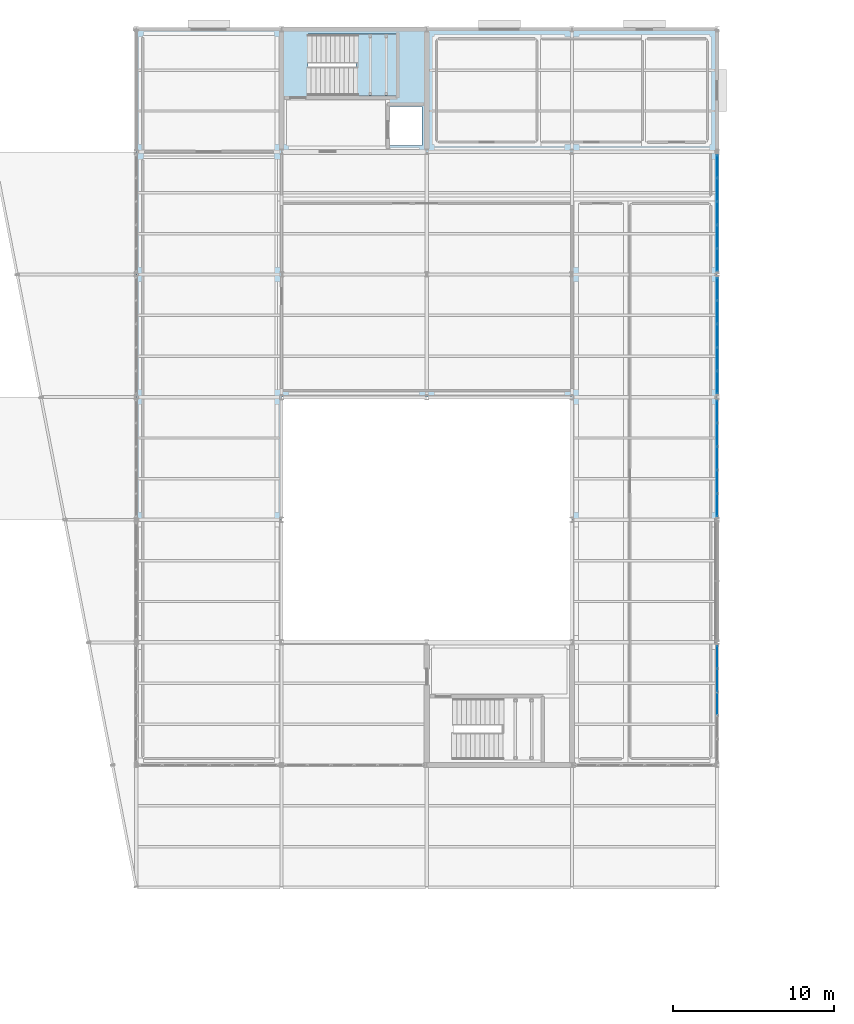
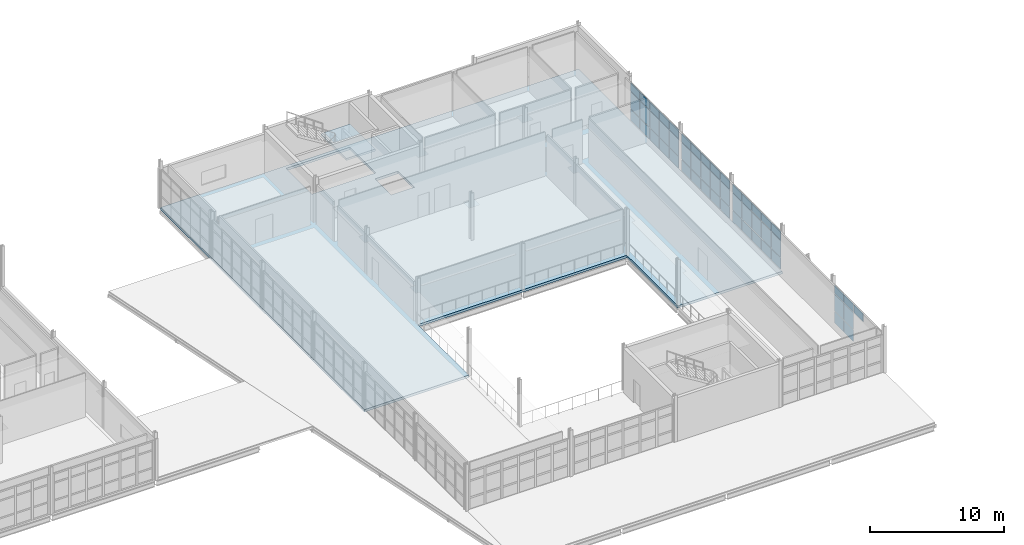
# One storey, part 74 of 96: 52 plates, 2 slabs, 5 elements without a shape of their own.
"""IFC4 building model written with IfcOpenShell, lengths in metres."""

from ifc_helpers import new_model, si_unit, direction, frame, origin, origin_2d, place, context, subcontext, project, spatial, polyline, rectangle, outline, extrude, material, layer, layer_set, type_object, element, aggregate, save


model = new_model("IFC4")

# Units and contexts
model_context = context("Model", 3, precision=1e-05, world=origin(), true_north=direction((0.0, 1.0)))
body_context = subcontext(model_context, "Body", "Model", "MODEL_VIEW")
ifc_project = project(units=[si_unit("LENGTHUNIT", "METRE"), si_unit("AREAUNIT", "SQUARE_METRE"), si_unit("VOLUMEUNIT", "CUBIC_METRE"), si_unit("PLANEANGLEUNIT", "RADIAN"), si_unit("MASSUNIT", "GRAM", prefix="KILO")], contexts=[model_context])

# Site, building, storey
site_placement = place(None, origin())
site = spatial("IfcSite", under=ifc_project, at=site_placement, CompositionType="ELEMENT")
building_placement = place(site_placement, origin())
building = spatial("IfcBuilding", under=site, at=building_placement, Name="Caisbarro Railhouse Central Library", CompositionType="ELEMENT")
storey_placement = place(building_placement, frame((0.0, 0.0, 13.679931640625)))
storey = spatial("IfcBuildingStorey", under=building, at=storey_placement, Name="L03", CompositionType="ELEMENT", Elevation=13.679931640625)

# Curtain wall, plates
ifc_material_1 = material(Name="Anodised architectural aluminium", Category="aluminium")
curtain_wall_type = type_object("IfcCurtainWallType", Name="CW-CW03", PredefinedType="NOTDEFINED", material=ifc_material_1)
curtain_wall_1_placement = place(storey_placement, origin())
curtain_wall_1 = element("IfcCurtainWall", 1, at=curtain_wall_1_placement, inside=storey, type_object=curtain_wall_type, Name="CW03 curtain wall L03 #151", PredefinedType="NOTDEFINED")
ifc_material_2 = material(Name="Double low-e laminated solar-control glass", Category="glass")
ifc_layer_1 = layer(ifc_material_2, 0.01806640625, Name="Double low-e laminated solar-control glass")
ifc_layer_set_1 = layer_set([ifc_layer_1], Name="Double low-e laminated solar-control glass")
plate_type_1 = type_object("IfcPlateType", Name="CWP-CP18", PredefinedType="CURTAIN_PANEL", material=ifc_layer_set_1)
plate_1_placement = place(storey_placement, frame((153.0, 72.199951171875, 2.74267578125), z_axis=(0.0, 0.0, 1.0), x_axis=(0.0, 1.0, 0.0)))
plate_1 = element("IfcPlate", 2, at=plate_1_placement, type_object=plate_type_1, Name="CW03 panel 3.3", PredefinedType="CURTAIN_PANEL", context=body_context, shape_type="SweptSolid", body=[
    extrude(rectangle(XDim=1.39111328125, YDim=0.01806640625, at=origin_2d()), origin(), (0.0, 0.0, 1.0), 0.75244140625),
])
plate_2_placement = place(storey_placement, frame((153.0, 73.656005859375, 0.065185546875), z_axis=(0.0, 0.0, 1.0), x_axis=(0.0, 1.0, 0.0)))
plate_2 = element("IfcPlate", 3, at=plate_2_placement, type_object=plate_type_1, Name="CW03 panel 4.1", PredefinedType="CURTAIN_PANEL", context=body_context, shape_type="SweptSolid", body=[
    extrude(rectangle(XDim=1.39111328125, YDim=0.01806640625, at=origin_2d()), origin(), (0.0, 0.0, 1.0), 1.0224609375),
])
plate_3_placement = place(storey_placement, frame((153.0, 73.656005859375, 1.152587890625), z_axis=(0.0, 0.0, 1.0), x_axis=(0.0, 1.0, 0.0)))
plate_3 = element("IfcPlate", 4, at=plate_3_placement, type_object=plate_type_1, Name="CW03 panel 4.2", PredefinedType="CURTAIN_PANEL", context=body_context, shape_type="SweptSolid", body=[
    extrude(rectangle(XDim=1.39111328125, YDim=0.01806640625, at=origin_2d()), origin(), (0.0, 0.0, 1.0), 1.52490234375),
])
plate_4_placement = place(storey_placement, frame((153.0, 73.656005859375, 2.74267578125), z_axis=(0.0, 0.0, 1.0), x_axis=(0.0, 1.0, 0.0)))
plate_4 = element("IfcPlate", 5, at=plate_4_placement, type_object=plate_type_1, Name="CW03 panel 4.3", PredefinedType="CURTAIN_PANEL", context=body_context, shape_type="SweptSolid", body=[
    extrude(rectangle(XDim=1.39111328125, YDim=0.01806640625, at=origin_2d()), origin(), (0.0, 0.0, 1.0), 0.75244140625),
])
plate_5_placement = place(storey_placement, frame((153.0, 75.095703125, 0.065185546875), z_axis=(0.0, 0.0, 1.0), x_axis=(0.0, 1.0, 0.0)))
plate_5 = element("IfcPlate", 6, at=plate_5_placement, type_object=plate_type_1, Name="CW03 panel 5.1", PredefinedType="CURTAIN_PANEL", context=body_context, shape_type="SweptSolid", body=[
    extrude(rectangle(XDim=1.3583984375, YDim=0.01806640625, at=origin_2d()), origin(), (0.0, 0.0, 1.0), 1.0224609375),
])
plate_6_placement = place(storey_placement, frame((153.0, 75.095703125, 1.152587890625), z_axis=(0.0, 0.0, 1.0), x_axis=(0.0, 1.0, 0.0)))
plate_6 = element("IfcPlate", 7, at=plate_6_placement, type_object=plate_type_1, Name="CW03 panel 5.2", PredefinedType="CURTAIN_PANEL", context=body_context, shape_type="SweptSolid", body=[
    extrude(rectangle(XDim=1.3583984375, YDim=0.01806640625, at=origin_2d()), origin(), (0.0, 0.0, 1.0), 1.52490234375),
])
plate_7_placement = place(storey_placement, frame((153.0, 75.095703125, 2.74267578125), z_axis=(0.0, 0.0, 1.0), x_axis=(0.0, 1.0, 0.0)))
plate_7 = element("IfcPlate", 8, at=plate_7_placement, type_object=plate_type_1, Name="CW03 panel 5.3", PredefinedType="CURTAIN_PANEL", context=body_context, shape_type="SweptSolid", body=[
    extrude(rectangle(XDim=1.3583984375, YDim=0.01806640625, at=origin_2d()), origin(), (0.0, 0.0, 1.0), 0.75244140625),
])
aggregate(curtain_wall_1, [plate_1, plate_2, plate_3, plate_4, plate_5, plate_6, plate_7])

curtain_wall_2_placement = place(storey_placement, origin())
curtain_wall_2 = element("IfcCurtainWall", 9, at=curtain_wall_2_placement, inside=storey, type_object=curtain_wall_type, Name="CW03 curtain wall L03 #152", PredefinedType="NOTDEFINED")
ifc_layer_2 = layer(ifc_material_2, 0.0380859375, Name="Double low-e laminated solar-control glass")
ifc_layer_set_2 = layer_set([ifc_layer_2], Name="Double low-e laminated solar-control glass")
plate_type_2 = type_object("IfcPlateType", Name="CWP-CP38", PredefinedType="CURTAIN_PANEL", material=ifc_layer_set_2)
plate_8_placement = place(storey_placement, frame((153.0, 84.504150390625, 0.065185546875), z_axis=(0.0, 0.0, 1.0), x_axis=(0.0, 1.0, 0.0)))
plate_8 = element("IfcPlate", 10, at=plate_8_placement, type_object=plate_type_2, Name="CW03 panel 1.1", PredefinedType="CURTAIN_PANEL", context=body_context, shape_type="SweptSolid", body=[
    extrude(rectangle(XDim=1.3583984375, YDim=0.0380859375, at=origin_2d()), origin(), (0.0, 0.0, 1.0), 1.0224609375),
])
plate_9_placement = place(storey_placement, frame((153.0, 84.504150390625, 1.152587890625), z_axis=(0.0, 0.0, 1.0), x_axis=(0.0, 1.0, 0.0)))
plate_9 = element("IfcPlate", 11, at=plate_9_placement, type_object=plate_type_2, Name="CW03 panel 1.2", PredefinedType="CURTAIN_PANEL", context=body_context, shape_type="SweptSolid", body=[
    extrude(rectangle(XDim=1.3583984375, YDim=0.0380859375, at=origin_2d()), origin(), (0.0, 0.0, 1.0), 1.52490234375),
])
plate_10_placement = place(storey_placement, frame((153.0, 84.504150390625, 2.74267578125), z_axis=(0.0, 0.0, 1.0), x_axis=(0.0, 1.0, 0.0)))
plate_10 = element("IfcPlate", 12, at=plate_10_placement, type_object=plate_type_2, Name="CW03 panel 1.3", PredefinedType="CURTAIN_PANEL", context=body_context, shape_type="SweptSolid", body=[
    extrude(rectangle(XDim=1.3583984375, YDim=0.0380859375, at=origin_2d()), origin(), (0.0, 0.0, 1.0), 0.75244140625),
])
plate_11_placement = place(storey_placement, frame((153.0, 85.944091796875, 0.065185546875), z_axis=(0.0, 0.0, 1.0), x_axis=(0.0, 1.0, 0.0)))
plate_11 = element("IfcPlate", 13, at=plate_11_placement, type_object=plate_type_2, Name="CW03 panel 2.1", PredefinedType="CURTAIN_PANEL", context=body_context, shape_type="SweptSolid", body=[
    extrude(rectangle(XDim=1.39111328125, YDim=0.0380859375, at=origin_2d()), origin(), (0.0, 0.0, 1.0), 1.0224609375),
])
plate_12_placement = place(storey_placement, frame((153.0, 85.944091796875, 1.152587890625), z_axis=(0.0, 0.0, 1.0), x_axis=(0.0, 1.0, 0.0)))
plate_12 = element("IfcPlate", 14, at=plate_12_placement, type_object=plate_type_2, Name="CW03 panel 2.2", PredefinedType="CURTAIN_PANEL", context=body_context, shape_type="SweptSolid", body=[
    extrude(rectangle(XDim=1.39111328125, YDim=0.0380859375, at=origin_2d()), origin(), (0.0, 0.0, 1.0), 1.52490234375),
])
plate_13_placement = place(storey_placement, frame((153.0, 85.944091796875, 2.74267578125), z_axis=(0.0, 0.0, 1.0), x_axis=(0.0, 1.0, 0.0)))
plate_13 = element("IfcPlate", 15, at=plate_13_placement, type_object=plate_type_2, Name="CW03 panel 2.3", PredefinedType="CURTAIN_PANEL", context=body_context, shape_type="SweptSolid", body=[
    extrude(rectangle(XDim=1.39111328125, YDim=0.0380859375, at=origin_2d()), origin(), (0.0, 0.0, 1.0), 0.75244140625),
])
plate_14_placement = place(storey_placement, frame((153.0, 87.39990234375, 0.065185546875), z_axis=(0.0, 0.0, 1.0), x_axis=(0.0, 1.0, 0.0)))
plate_14 = element("IfcPlate", 16, at=plate_14_placement, type_object=plate_type_2, Name="CW03 panel 3.1", PredefinedType="CURTAIN_PANEL", context=body_context, shape_type="SweptSolid", body=[
    extrude(rectangle(XDim=1.39111328125, YDim=0.0380859375, at=origin_2d()), origin(), (0.0, 0.0, 1.0), 1.0224609375),
])
plate_15_placement = place(storey_placement, frame((153.0, 87.39990234375, 1.152587890625), z_axis=(0.0, 0.0, 1.0), x_axis=(0.0, 1.0, 0.0)))
plate_15 = element("IfcPlate", 17, at=plate_15_placement, type_object=plate_type_2, Name="CW03 panel 3.2", PredefinedType="CURTAIN_PANEL", context=body_context, shape_type="SweptSolid", body=[
    extrude(rectangle(XDim=1.39111328125, YDim=0.0380859375, at=origin_2d()), origin(), (0.0, 0.0, 1.0), 1.52490234375),
])
plate_16_placement = place(storey_placement, frame((153.0, 87.39990234375, 2.74267578125), z_axis=(0.0, 0.0, 1.0), x_axis=(0.0, 1.0, 0.0)))
plate_16 = element("IfcPlate", 18, at=plate_16_placement, type_object=plate_type_2, Name="CW03 panel 3.3", PredefinedType="CURTAIN_PANEL", context=body_context, shape_type="SweptSolid", body=[
    extrude(rectangle(XDim=1.39111328125, YDim=0.0380859375, at=origin_2d()), origin(), (0.0, 0.0, 1.0), 0.75244140625),
])
plate_17_placement = place(storey_placement, frame((153.0, 88.85595703125, 0.065185546875), z_axis=(0.0, 0.0, 1.0), x_axis=(0.0, 1.0, 0.0)))
plate_17 = element("IfcPlate", 19, at=plate_17_placement, type_object=plate_type_2, Name="CW03 panel 4.1", PredefinedType="CURTAIN_PANEL", context=body_context, shape_type="SweptSolid", body=[
    extrude(rectangle(XDim=1.39111328125, YDim=0.0380859375, at=origin_2d()), origin(), (0.0, 0.0, 1.0), 1.0224609375),
])
plate_18_placement = place(storey_placement, frame((153.0, 88.85595703125, 1.152587890625), z_axis=(0.0, 0.0, 1.0), x_axis=(0.0, 1.0, 0.0)))
plate_18 = element("IfcPlate", 20, at=plate_18_placement, type_object=plate_type_2, Name="CW03 panel 4.2", PredefinedType="CURTAIN_PANEL", context=body_context, shape_type="SweptSolid", body=[
    extrude(rectangle(XDim=1.39111328125, YDim=0.0380859375, at=origin_2d()), origin(), (0.0, 0.0, 1.0), 1.52490234375),
])
plate_19_placement = place(storey_placement, frame((153.0, 88.85595703125, 2.74267578125), z_axis=(0.0, 0.0, 1.0), x_axis=(0.0, 1.0, 0.0)))
plate_19 = element("IfcPlate", 21, at=plate_19_placement, type_object=plate_type_2, Name="CW03 panel 4.3", PredefinedType="CURTAIN_PANEL", context=body_context, shape_type="SweptSolid", body=[
    extrude(rectangle(XDim=1.39111328125, YDim=0.0380859375, at=origin_2d()), origin(), (0.0, 0.0, 1.0), 0.75244140625),
])
plate_20_placement = place(storey_placement, frame((153.0, 90.295654296875, 0.065185546875), z_axis=(0.0, 0.0, 1.0), x_axis=(0.0, 1.0, 0.0)))
plate_20 = element("IfcPlate", 22, at=plate_20_placement, type_object=plate_type_2, Name="CW03 panel 5.1", PredefinedType="CURTAIN_PANEL", context=body_context, shape_type="SweptSolid", body=[
    extrude(rectangle(XDim=1.3583984375, YDim=0.0380859375, at=origin_2d()), origin(), (0.0, 0.0, 1.0), 1.0224609375),
])
plate_21_placement = place(storey_placement, frame((153.0, 90.295654296875, 1.152587890625), z_axis=(0.0, 0.0, 1.0), x_axis=(0.0, 1.0, 0.0)))
plate_21 = element("IfcPlate", 23, at=plate_21_placement, type_object=plate_type_2, Name="CW03 panel 5.2", PredefinedType="CURTAIN_PANEL", context=body_context, shape_type="SweptSolid", body=[
    extrude(rectangle(XDim=1.3583984375, YDim=0.0380859375, at=origin_2d()), origin(), (0.0, 0.0, 1.0), 1.52490234375),
])
plate_22_placement = place(storey_placement, frame((153.0, 90.295654296875, 2.74267578125), z_axis=(0.0, 0.0, 1.0), x_axis=(0.0, 1.0, 0.0)))
plate_22 = element("IfcPlate", 24, at=plate_22_placement, type_object=plate_type_2, Name="CW03 panel 5.3", PredefinedType="CURTAIN_PANEL", context=body_context, shape_type="SweptSolid", body=[
    extrude(rectangle(XDim=1.3583984375, YDim=0.0380859375, at=origin_2d()), origin(), (0.0, 0.0, 1.0), 0.75244140625),
])
aggregate(curtain_wall_2, [plate_8, plate_9, plate_10, plate_11, plate_12, plate_13, plate_14, plate_15, plate_16, plate_17, plate_18, plate_19, plate_20, plate_21, plate_22])

curtain_wall_3_placement = place(storey_placement, origin())
curtain_wall_3 = element("IfcCurtainWall", 25, at=curtain_wall_3_placement, inside=storey, type_object=curtain_wall_type, Name="CW03 curtain wall L03 #153", PredefinedType="NOTDEFINED")
ifc_layer_3 = layer(ifc_material_2, 0.048095703125, Name="Double low-e laminated solar-control glass")
ifc_layer_set_3 = layer_set([ifc_layer_3], Name="Double low-e laminated solar-control glass")
plate_type_3 = type_object("IfcPlateType", Name="CWP-CP48", PredefinedType="CURTAIN_PANEL", material=ifc_layer_set_3)
plate_23_placement = place(storey_placement, frame((153.0, 92.104248046875, 0.065185546875), z_axis=(0.0, 0.0, 1.0), x_axis=(0.0, 1.0, 0.0)))
plate_23 = element("IfcPlate", 26, at=plate_23_placement, type_object=plate_type_3, Name="CW03 panel 1.1", PredefinedType="CURTAIN_PANEL", context=body_context, shape_type="SweptSolid", body=[
    extrude(rectangle(XDim=1.3583984375, YDim=0.048095703125, at=origin_2d()), origin(), (0.0, 0.0, 1.0), 1.0224609375),
])
plate_24_placement = place(storey_placement, frame((153.0, 92.104248046875, 1.152587890625), z_axis=(0.0, 0.0, 1.0), x_axis=(0.0, 1.0, 0.0)))
plate_24 = element("IfcPlate", 27, at=plate_24_placement, type_object=plate_type_3, Name="CW03 panel 1.2", PredefinedType="CURTAIN_PANEL", context=body_context, shape_type="SweptSolid", body=[
    extrude(rectangle(XDim=1.3583984375, YDim=0.048095703125, at=origin_2d()), origin(), (0.0, 0.0, 1.0), 1.52490234375),
])
plate_25_placement = place(storey_placement, frame((153.0, 92.104248046875, 2.74267578125), z_axis=(0.0, 0.0, 1.0), x_axis=(0.0, 1.0, 0.0)))
plate_25 = element("IfcPlate", 28, at=plate_25_placement, type_object=plate_type_3, Name="CW03 panel 1.3", PredefinedType="CURTAIN_PANEL", context=body_context, shape_type="SweptSolid", body=[
    extrude(rectangle(XDim=1.3583984375, YDim=0.048095703125, at=origin_2d()), origin(), (0.0, 0.0, 1.0), 0.75244140625),
])
plate_26_placement = place(storey_placement, frame((153.0, 93.5439453125, 0.065185546875), z_axis=(0.0, 0.0, 1.0), x_axis=(0.0, 1.0, 0.0)))
plate_26 = element("IfcPlate", 29, at=plate_26_placement, type_object=plate_type_3, Name="CW03 panel 2.1", PredefinedType="CURTAIN_PANEL", context=body_context, shape_type="SweptSolid", body=[
    extrude(rectangle(XDim=1.39111328125, YDim=0.048095703125, at=origin_2d()), origin(), (0.0, 0.0, 1.0), 1.0224609375),
])
plate_27_placement = place(storey_placement, frame((153.0, 93.5439453125, 1.152587890625), z_axis=(0.0, 0.0, 1.0), x_axis=(0.0, 1.0, 0.0)))
plate_27 = element("IfcPlate", 30, at=plate_27_placement, type_object=plate_type_3, Name="CW03 panel 2.2", PredefinedType="CURTAIN_PANEL", context=body_context, shape_type="SweptSolid", body=[
    extrude(rectangle(XDim=1.39111328125, YDim=0.048095703125, at=origin_2d()), origin(), (0.0, 0.0, 1.0), 1.52490234375),
])
plate_28_placement = place(storey_placement, frame((153.0, 93.5439453125, 2.74267578125), z_axis=(0.0, 0.0, 1.0), x_axis=(0.0, 1.0, 0.0)))
plate_28 = element("IfcPlate", 31, at=plate_28_placement, type_object=plate_type_3, Name="CW03 panel 2.3", PredefinedType="CURTAIN_PANEL", context=body_context, shape_type="SweptSolid", body=[
    extrude(rectangle(XDim=1.39111328125, YDim=0.048095703125, at=origin_2d()), origin(), (0.0, 0.0, 1.0), 0.75244140625),
])
plate_29_placement = place(storey_placement, frame((153.0, 95.0, 0.065185546875), z_axis=(0.0, 0.0, 1.0), x_axis=(0.0, 1.0, 0.0)))
plate_29 = element("IfcPlate", 32, at=plate_29_placement, type_object=plate_type_3, Name="CW03 panel 3.1", PredefinedType="CURTAIN_PANEL", context=body_context, shape_type="SweptSolid", body=[
    extrude(rectangle(XDim=1.39111328125, YDim=0.048095703125, at=origin_2d()), origin(), (0.0, 0.0, 1.0), 1.0224609375),
])
plate_30_placement = place(storey_placement, frame((153.0, 95.0, 1.152587890625), z_axis=(0.0, 0.0, 1.0), x_axis=(0.0, 1.0, 0.0)))
plate_30 = element("IfcPlate", 33, at=plate_30_placement, type_object=plate_type_3, Name="CW03 panel 3.2", PredefinedType="CURTAIN_PANEL", context=body_context, shape_type="SweptSolid", body=[
    extrude(rectangle(XDim=1.39111328125, YDim=0.048095703125, at=origin_2d()), origin(), (0.0, 0.0, 1.0), 1.52490234375),
])
plate_31_placement = place(storey_placement, frame((153.0, 95.0, 2.74267578125), z_axis=(0.0, 0.0, 1.0), x_axis=(0.0, 1.0, 0.0)))
plate_31 = element("IfcPlate", 34, at=plate_31_placement, type_object=plate_type_3, Name="CW03 panel 3.3", PredefinedType="CURTAIN_PANEL", context=body_context, shape_type="SweptSolid", body=[
    extrude(rectangle(XDim=1.39111328125, YDim=0.048095703125, at=origin_2d()), origin(), (0.0, 0.0, 1.0), 0.75244140625),
])
plate_32_placement = place(storey_placement, frame((153.0, 96.4560546875, 0.065185546875), z_axis=(0.0, 0.0, 1.0), x_axis=(0.0, 1.0, 0.0)))
plate_32 = element("IfcPlate", 35, at=plate_32_placement, type_object=plate_type_3, Name="CW03 panel 4.1", PredefinedType="CURTAIN_PANEL", context=body_context, shape_type="SweptSolid", body=[
    extrude(rectangle(XDim=1.39111328125, YDim=0.048095703125, at=origin_2d()), origin(), (0.0, 0.0, 1.0), 1.0224609375),
])
plate_33_placement = place(storey_placement, frame((153.0, 96.4560546875, 1.152587890625), z_axis=(0.0, 0.0, 1.0), x_axis=(0.0, 1.0, 0.0)))
plate_33 = element("IfcPlate", 36, at=plate_33_placement, type_object=plate_type_3, Name="CW03 panel 4.2", PredefinedType="CURTAIN_PANEL", context=body_context, shape_type="SweptSolid", body=[
    extrude(rectangle(XDim=1.39111328125, YDim=0.048095703125, at=origin_2d()), origin(), (0.0, 0.0, 1.0), 1.52490234375),
])
plate_34_placement = place(storey_placement, frame((153.0, 96.4560546875, 2.74267578125), z_axis=(0.0, 0.0, 1.0), x_axis=(0.0, 1.0, 0.0)))
plate_34 = element("IfcPlate", 37, at=plate_34_placement, type_object=plate_type_3, Name="CW03 panel 4.3", PredefinedType="CURTAIN_PANEL", context=body_context, shape_type="SweptSolid", body=[
    extrude(rectangle(XDim=1.39111328125, YDim=0.048095703125, at=origin_2d()), origin(), (0.0, 0.0, 1.0), 0.75244140625),
])
plate_35_placement = place(storey_placement, frame((153.0, 97.895751953125, 0.065185546875), z_axis=(0.0, 0.0, 1.0), x_axis=(0.0, 1.0, 0.0)))
plate_35 = element("IfcPlate", 38, at=plate_35_placement, type_object=plate_type_3, Name="CW03 panel 5.1", PredefinedType="CURTAIN_PANEL", context=body_context, shape_type="SweptSolid", body=[
    extrude(rectangle(XDim=1.3583984375, YDim=0.048095703125, at=origin_2d()), origin(), (0.0, 0.0, 1.0), 1.0224609375),
])
plate_36_placement = place(storey_placement, frame((153.0, 97.895751953125, 1.152587890625), z_axis=(0.0, 0.0, 1.0), x_axis=(0.0, 1.0, 0.0)))
plate_36 = element("IfcPlate", 39, at=plate_36_placement, type_object=plate_type_3, Name="CW03 panel 5.2", PredefinedType="CURTAIN_PANEL", context=body_context, shape_type="SweptSolid", body=[
    extrude(rectangle(XDim=1.3583984375, YDim=0.048095703125, at=origin_2d()), origin(), (0.0, 0.0, 1.0), 1.52490234375),
])
plate_37_placement = place(storey_placement, frame((153.0, 97.895751953125, 2.74267578125), z_axis=(0.0, 0.0, 1.0), x_axis=(0.0, 1.0, 0.0)))
plate_37 = element("IfcPlate", 40, at=plate_37_placement, type_object=plate_type_3, Name="CW03 panel 5.3", PredefinedType="CURTAIN_PANEL", context=body_context, shape_type="SweptSolid", body=[
    extrude(rectangle(XDim=1.3583984375, YDim=0.048095703125, at=origin_2d()), origin(), (0.0, 0.0, 1.0), 0.75244140625),
])
aggregate(curtain_wall_3, [plate_23, plate_24, plate_25, plate_26, plate_27, plate_28, plate_29, plate_30, plate_31, plate_32, plate_33, plate_34, plate_35, plate_36, plate_37])

curtain_wall_4_placement = place(storey_placement, origin())
curtain_wall_4 = element("IfcCurtainWall", 41, at=curtain_wall_4_placement, inside=storey, type_object=curtain_wall_type, Name="CW03 curtain wall L03 #154", PredefinedType="NOTDEFINED")
ifc_layer_4 = layer(ifc_material_2, 0.05810546875, Name="Double low-e laminated solar-control glass")
ifc_layer_set_4 = layer_set([ifc_layer_4], Name="Double low-e laminated solar-control glass")
plate_type_4 = type_object("IfcPlateType", Name="CWP-CP58", PredefinedType="CURTAIN_PANEL", material=ifc_layer_set_4)
plate_38_placement = place(storey_placement, frame((153.0, 99.704345703125, 0.065185546875), z_axis=(0.0, 0.0, 1.0), x_axis=(0.0, 1.0, 0.0)))
plate_38 = element("IfcPlate", 42, at=plate_38_placement, type_object=plate_type_4, Name="CW03 panel 1.1", PredefinedType="CURTAIN_PANEL", context=body_context, shape_type="SweptSolid", body=[
    extrude(rectangle(XDim=1.3583984375, YDim=0.05810546875, at=origin_2d()), origin(), (0.0, 0.0, 1.0), 1.0224609375),
])
plate_39_placement = place(storey_placement, frame((153.0, 99.704345703125, 1.152587890625), z_axis=(0.0, 0.0, 1.0), x_axis=(0.0, 1.0, 0.0)))
plate_39 = element("IfcPlate", 43, at=plate_39_placement, type_object=plate_type_4, Name="CW03 panel 1.2", PredefinedType="CURTAIN_PANEL", context=body_context, shape_type="SweptSolid", body=[
    extrude(rectangle(XDim=1.3583984375, YDim=0.05810546875, at=origin_2d()), origin(), (0.0, 0.0, 1.0), 1.52490234375),
])
plate_40_placement = place(storey_placement, frame((153.0, 99.704345703125, 2.74267578125), z_axis=(0.0, 0.0, 1.0), x_axis=(0.0, 1.0, 0.0)))
plate_40 = element("IfcPlate", 44, at=plate_40_placement, type_object=plate_type_4, Name="CW03 panel 1.3", PredefinedType="CURTAIN_PANEL", context=body_context, shape_type="SweptSolid", body=[
    extrude(rectangle(XDim=1.3583984375, YDim=0.05810546875, at=origin_2d()), origin(), (0.0, 0.0, 1.0), 0.75244140625),
])
plate_41_placement = place(storey_placement, frame((153.0, 101.14404296875, 0.065185546875), z_axis=(0.0, 0.0, 1.0), x_axis=(0.0, 1.0, 0.0)))
plate_41 = element("IfcPlate", 45, at=plate_41_placement, type_object=plate_type_4, Name="CW03 panel 2.1", PredefinedType="CURTAIN_PANEL", context=body_context, shape_type="SweptSolid", body=[
    extrude(rectangle(XDim=1.39111328125, YDim=0.05810546875, at=origin_2d()), origin(), (0.0, 0.0, 1.0), 1.0224609375),
])
plate_42_placement = place(storey_placement, frame((153.0, 101.14404296875, 1.152587890625), z_axis=(0.0, 0.0, 1.0), x_axis=(0.0, 1.0, 0.0)))
plate_42 = element("IfcPlate", 46, at=plate_42_placement, type_object=plate_type_4, Name="CW03 panel 2.2", PredefinedType="CURTAIN_PANEL", context=body_context, shape_type="SweptSolid", body=[
    extrude(rectangle(XDim=1.39111328125, YDim=0.05810546875, at=origin_2d()), origin(), (0.0, 0.0, 1.0), 1.52490234375),
])
plate_43_placement = place(storey_placement, frame((153.0, 101.14404296875, 2.74267578125), z_axis=(0.0, 0.0, 1.0), x_axis=(0.0, 1.0, 0.0)))
plate_43 = element("IfcPlate", 47, at=plate_43_placement, type_object=plate_type_4, Name="CW03 panel 2.3", PredefinedType="CURTAIN_PANEL", context=body_context, shape_type="SweptSolid", body=[
    extrude(rectangle(XDim=1.39111328125, YDim=0.05810546875, at=origin_2d()), origin(), (0.0, 0.0, 1.0), 0.75244140625),
])
plate_44_placement = place(storey_placement, frame((153.0, 102.60009765625, 0.065185546875), z_axis=(0.0, 0.0, 1.0), x_axis=(0.0, 1.0, 0.0)))
plate_44 = element("IfcPlate", 48, at=plate_44_placement, type_object=plate_type_4, Name="CW03 panel 3.1", PredefinedType="CURTAIN_PANEL", context=body_context, shape_type="SweptSolid", body=[
    extrude(rectangle(XDim=1.39111328125, YDim=0.05810546875, at=origin_2d()), origin(), (0.0, 0.0, 1.0), 1.0224609375),
])
plate_45_placement = place(storey_placement, frame((153.0, 102.60009765625, 1.152587890625), z_axis=(0.0, 0.0, 1.0), x_axis=(0.0, 1.0, 0.0)))
plate_45 = element("IfcPlate", 49, at=plate_45_placement, type_object=plate_type_4, Name="CW03 panel 3.2", PredefinedType="CURTAIN_PANEL", context=body_context, shape_type="SweptSolid", body=[
    extrude(rectangle(XDim=1.39111328125, YDim=0.05810546875, at=origin_2d()), origin(), (0.0, 0.0, 1.0), 1.52490234375),
])
plate_46_placement = place(storey_placement, frame((153.0, 102.60009765625, 2.74267578125), z_axis=(0.0, 0.0, 1.0), x_axis=(0.0, 1.0, 0.0)))
plate_46 = element("IfcPlate", 50, at=plate_46_placement, type_object=plate_type_4, Name="CW03 panel 3.3", PredefinedType="CURTAIN_PANEL", context=body_context, shape_type="SweptSolid", body=[
    extrude(rectangle(XDim=1.39111328125, YDim=0.05810546875, at=origin_2d()), origin(), (0.0, 0.0, 1.0), 0.75244140625),
])
plate_47_placement = place(storey_placement, frame((153.0, 104.055908203125, 0.065185546875), z_axis=(0.0, 0.0, 1.0), x_axis=(0.0, 1.0, 0.0)))
plate_47 = element("IfcPlate", 51, at=plate_47_placement, type_object=plate_type_4, Name="CW03 panel 4.1", PredefinedType="CURTAIN_PANEL", context=body_context, shape_type="SweptSolid", body=[
    extrude(rectangle(XDim=1.39111328125, YDim=0.05810546875, at=origin_2d()), origin(), (0.0, 0.0, 1.0), 1.0224609375),
])
plate_48_placement = place(storey_placement, frame((153.0, 104.055908203125, 1.152587890625), z_axis=(0.0, 0.0, 1.0), x_axis=(0.0, 1.0, 0.0)))
plate_48 = element("IfcPlate", 52, at=plate_48_placement, type_object=plate_type_4, Name="CW03 panel 4.2", PredefinedType="CURTAIN_PANEL", context=body_context, shape_type="SweptSolid", body=[
    extrude(rectangle(XDim=1.39111328125, YDim=0.05810546875, at=origin_2d()), origin(), (0.0, 0.0, 1.0), 1.52490234375),
])
plate_49_placement = place(storey_placement, frame((153.0, 104.055908203125, 2.74267578125), z_axis=(0.0, 0.0, 1.0), x_axis=(0.0, 1.0, 0.0)))
plate_49 = element("IfcPlate", 53, at=plate_49_placement, type_object=plate_type_4, Name="CW03 panel 4.3", PredefinedType="CURTAIN_PANEL", context=body_context, shape_type="SweptSolid", body=[
    extrude(rectangle(XDim=1.39111328125, YDim=0.05810546875, at=origin_2d()), origin(), (0.0, 0.0, 1.0), 0.75244140625),
])
plate_50_placement = place(storey_placement, frame((153.0, 105.495849609375, 0.065185546875), z_axis=(0.0, 0.0, 1.0), x_axis=(0.0, 1.0, 0.0)))
plate_50 = element("IfcPlate", 54, at=plate_50_placement, type_object=plate_type_4, Name="CW03 panel 5.1", PredefinedType="CURTAIN_PANEL", context=body_context, shape_type="SweptSolid", body=[
    extrude(rectangle(XDim=1.3583984375, YDim=0.05810546875, at=origin_2d()), origin(), (0.0, 0.0, 1.0), 1.0224609375),
])
plate_51_placement = place(storey_placement, frame((153.0, 105.495849609375, 1.152587890625), z_axis=(0.0, 0.0, 1.0), x_axis=(0.0, 1.0, 0.0)))
plate_51 = element("IfcPlate", 55, at=plate_51_placement, type_object=plate_type_4, Name="CW03 panel 5.2", PredefinedType="CURTAIN_PANEL", context=body_context, shape_type="SweptSolid", body=[
    extrude(rectangle(XDim=1.3583984375, YDim=0.05810546875, at=origin_2d()), origin(), (0.0, 0.0, 1.0), 1.52490234375),
])
plate_52_placement = place(storey_placement, frame((153.0, 105.495849609375, 2.74267578125), z_axis=(0.0, 0.0, 1.0), x_axis=(0.0, 1.0, 0.0)))
plate_52 = element("IfcPlate", 56, at=plate_52_placement, type_object=plate_type_4, Name="CW03 panel 5.3", PredefinedType="CURTAIN_PANEL", context=body_context, shape_type="SweptSolid", body=[
    extrude(rectangle(XDim=1.3583984375, YDim=0.05810546875, at=origin_2d()), origin(), (0.0, 0.0, 1.0), 0.75244140625),
])
aggregate(curtain_wall_4, [plate_38, plate_39, plate_40, plate_41, plate_42, plate_43, plate_44, plate_45, plate_46, plate_47, plate_48, plate_49, plate_50, plate_51, plate_52])

# Slab
ifc_material_3 = material(Name="Concrete C35", Category="concrete")
ifc_layer_5 = layer(ifc_material_3, 0.219970703125, Name="Concrete C35")
ifc_layer_set_5 = layer_set([ifc_layer_5], Name="Concrete C35")
slab_type_1 = type_object("IfcSlabType", Name="SLB-FL22", PredefinedType="FLOOR", material=ifc_layer_set_5)
slab_1_placement = place(storey_placement, frame((0.0, 0.0, -0.219970703125)))
element("IfcSlab", 57, at=slab_1_placement, inside=storey, type_object=slab_type_1, Name="SF22 structural slab L03 V4.2", PredefinedType="FLOOR", context=body_context, shape_type="SweptSolid", body=[
    extrude(outline(polyline([(117.0, 83.60009765625), (126.0, 83.60009765625), (126.0, 91.199951171875), (144.0, 91.199951171875), (144.0, 83.60009765625), (153.0, 83.60009765625), (153.0, 114.0), (117.0, 114.0), (117.0, 83.60009765625)]), holes=[polyline([(127.64990234375, 109.85009765625), (133.14990234375, 109.85009765625), (133.14990234375, 113.699951171875), (127.64990234375, 113.699951171875), (127.64990234375, 109.85009765625)]), polyline([(132.699951171875, 106.800048828125), (134.699951171875, 106.800048828125), (134.699951171875, 109.199951171875), (132.699951171875, 109.199951171875), (132.699951171875, 106.800048828125)])]), origin(), (0.0, 0.0, 1.0), 0.219970703125),
])

# Stair, slab
stair_type = type_object("IfcStairType", Name="STR-ST43C", PredefinedType="HALF_TURN_STAIR", material=ifc_material_3)
stair_placement = place(storey_placement, origin())
stair = element("IfcStair", 58, at=stair_placement, inside=storey, type_object=stair_type, Name="Protected Stair ST-03 (L03)", PredefinedType="HALF_TURN_STAIR")
ifc_layer_6 = layer(ifc_material_3, 0.18994140625, Name="Concrete C35")
ifc_layer_set_6 = layer_set([ifc_layer_6], Name="Concrete C35")
slab_type_2 = type_object("IfcSlabType", Name="SLB-LND19", PredefinedType="LANDING", material=ifc_layer_set_6)
slab_2_placement = place(storey_placement, frame((0.0, 0.0, 1.969970703125)))
slab_2 = element("IfcSlab", 59, at=slab_2_placement, type_object=slab_type_2, Name="ST-03 landing 1", PredefinedType="LANDING", context=body_context, shape_type="SweptSolid", body=[
    extrude(outline(polyline([(130.6201171875, 109.889892578125), (133.1201171875, 109.889892578125), (133.1201171875, 113.659912109375), (130.6201171875, 113.659912109375), (130.6201171875, 109.889892578125)])), origin(), (0.0, 0.0, 1.0), 0.190185546875),
])
aggregate(stair, [slab_2])

save(model, "model.ifc")
